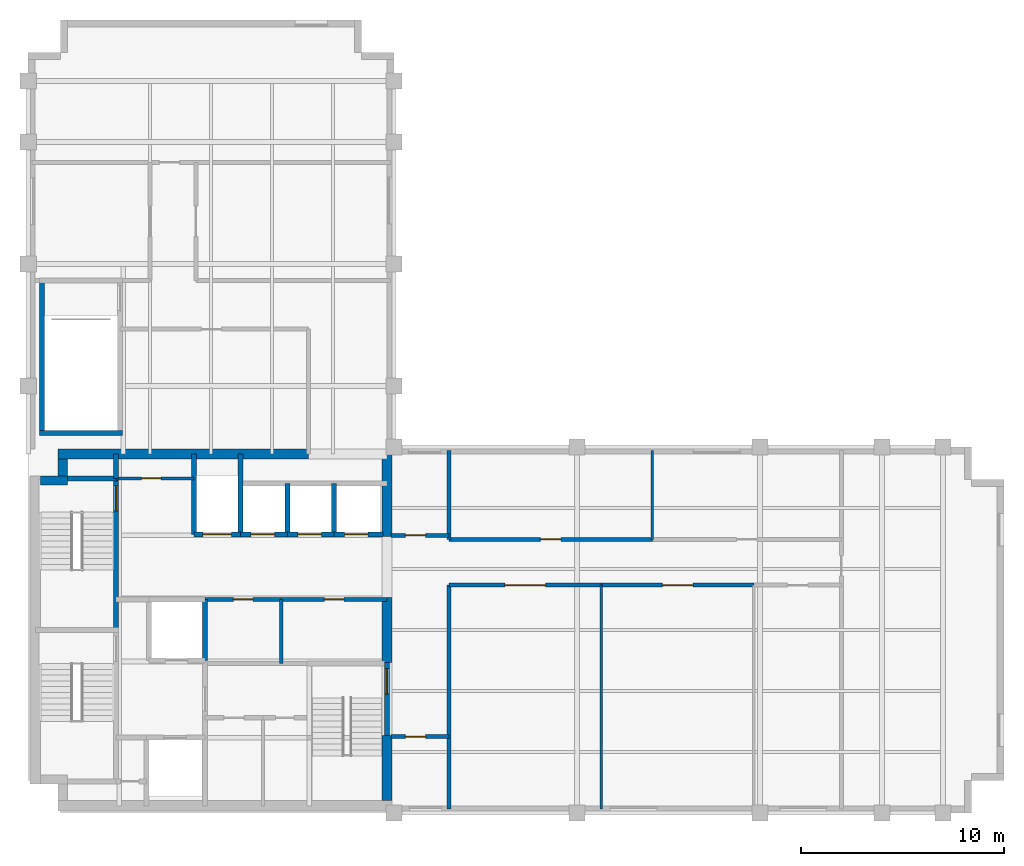
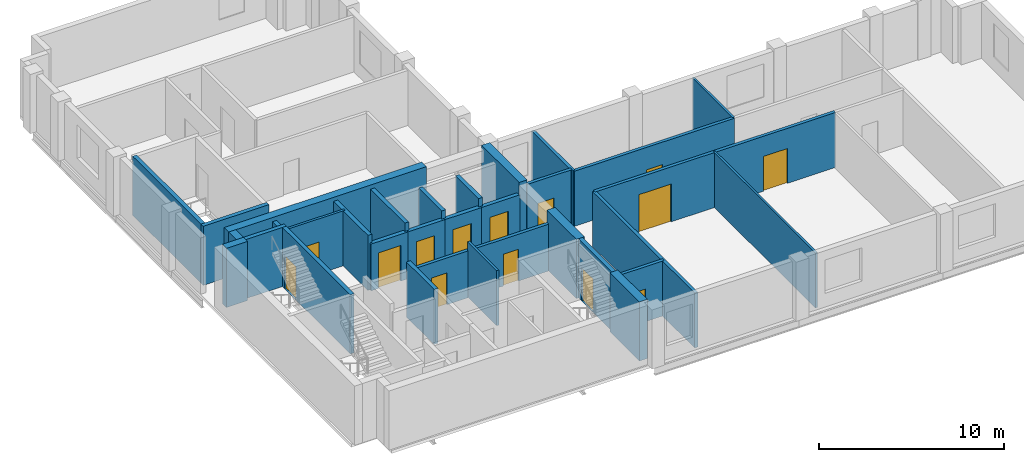
# One storey, part 3 of 6: 34 walls, 14 doors, 14 openings.
"""IFC4 building model written with IfcOpenShell, lengths in metres."""

from ifc_helpers import new_model, si_unit, direction, frame, frame_2d, origin, place, context, subcontext, project, spatial, rectangle, extrude, material, layer, layer_set, type_object, element, fill, save


model = new_model("IFC4")

# Units and contexts
model_context = context("Model", 3, precision=1e-05, world=origin(), true_north=direction((0.0, 1.0)))
body_context = subcontext(model_context, "Body", "Model", "MODEL_VIEW")
ifc_project = project(units=[si_unit("LENGTHUNIT", "METRE"), si_unit("AREAUNIT", "SQUARE_METRE"), si_unit("VOLUMEUNIT", "CUBIC_METRE"), si_unit("PLANEANGLEUNIT", "RADIAN"), si_unit("MASSUNIT", "GRAM", prefix="KILO")], contexts=[model_context])

# Site, building, storey
site_placement = place(None, origin())
site = spatial("IfcSite", under=ifc_project, at=site_placement, CompositionType="ELEMENT")
building_placement = place(site_placement, origin())
building = spatial("IfcBuilding", under=site, at=building_placement, Name="Mawjdan Bourse Tower", CompositionType="ELEMENT")
storey_placement = place(building_placement, frame((0.0, 0.0, 250.800048828125)))
storey = spatial("IfcBuildingStorey", under=building, at=storey_placement, Name="L61", CompositionType="ELEMENT", Elevation=250.800048828125)

# Wall, opening, door
ifc_material_1 = material(Name="Gypsum Fireboard Assembly")
ifc_layer_1 = layer(ifc_material_1, 0.199951171875)
ifc_layer_set_1 = layer_set([ifc_layer_1], Name="Gypsum Fireboard Assembly")
wall_type_1 = type_object("IfcWallType", Name="WL-CMP-200", PredefinedType="PARTITIONING", material=ifc_layer_set_1)
wall_1_placement = place(storey_placement, frame((14.699951171875, 13.5, 0.0), z_axis=(0.0, 0.0, 1.0), x_axis=(1.0, 0.0, 0.0)))
wall_1 = element("IfcWall", 1, at=wall_1_placement, inside=storey, type_object=wall_type_1, Name="L61 Accessible WC North Wall", PredefinedType="PARTITIONING", context=body_context, shape_type="SweptSolid", body=[
    extrude(rectangle(XDim=3.75, YDim=0.199951171875, at=frame_2d((1.875, 0.0))), origin(), (0.0, 0.0, 1.0), 3.087890625),
])
opening_1_placement = place(wall_1_placement, frame((1.39990234375, 0.0, 0.0)))
opening_1 = element("IfcOpeningElement", 2, at=opening_1_placement, cuts=wall_1, Name="Opening D-L61-15", PredefinedType="OPENING", context=body_context, shape_type="SweptSolid", body=[
    extrude(rectangle(XDim=0.949951171875, YDim=2.10009765625, at=frame_2d((0.47509765625, 1.050048828125))), frame((0.0, 0.10986328125, 0.0), z_axis=(0.0, -1.0, 0.0), x_axis=(1.0, 0.0, 0.0)), (0.0, 0.0, 1.0), 0.219970703125),
])
ifc_material_2 = material(Name="Moisture-Resistant Laminate Timber", Category="wood")
door_type_1 = type_object("IfcDoorType", Name="DR-WET-0950", OperationType="NOTDEFINED", PredefinedType="DOOR", material=ifc_material_2)
door_1_placement = place(opening_1_placement, origin())
door_1 = element("IfcDoor", 3, at=door_1_placement, inside=storey, type_object=door_type_1, Name="L61 Accessible WC Door D-L61-15", OperationType="SINGLE_SWING_RIGHT", OverallHeight=2.10009765625, OverallWidth=0.949951171875, PredefinedType="DOOR", context=body_context, shape_type="SweptSolid", body=[
    extrude(rectangle(XDim=0.949951171875, YDim=2.10009765625, at=frame_2d((0.47509765625, 1.050048828125))), frame((0.0, 0.02490234375, 0.0), z_axis=(0.0, -1.0, 0.0), x_axis=(1.0, 0.0, 0.0)), (0.0, 0.0, 1.0), 0.050048828125),
])
fill(opening_1, door_1)

wall_2_placement = place(storey_placement, frame((18.449951171875, 13.5, 0.0), z_axis=(0.0, 0.0, 1.0), x_axis=(1.0, 0.0, 0.0)))
wall_2 = element("IfcWall", 4, at=wall_2_placement, inside=storey, type_object=wall_type_1, Name="L61 Unisex Restroom Suite North Wall", PredefinedType="PARTITIONING", context=body_context, shape_type="SweptSolid", body=[
    extrude(rectangle(XDim=5.199951171875, YDim=0.199951171875, at=frame_2d((2.60009765625, 0.0))), origin(), (0.0, 0.0, 1.0), 3.087890625),
])
opening_2_placement = place(wall_2_placement, frame((2.125, 0.0, 0.0)))
opening_2 = element("IfcOpeningElement", 5, at=opening_2_placement, cuts=wall_2, Name="Opening D-L61-16", PredefinedType="OPENING", context=body_context, shape_type="SweptSolid", body=[
    extrude(rectangle(XDim=0.949951171875, YDim=2.10009765625, at=frame_2d((0.47509765625, 1.050048828125))), frame((0.0, 0.10986328125, 0.0), z_axis=(0.0, -1.0, 0.0), x_axis=(1.0, 0.0, 0.0)), (0.0, 0.0, 1.0), 0.219970703125),
])
door_2_placement = place(opening_2_placement, origin())
door_2 = element("IfcDoor", 6, at=door_2_placement, inside=storey, type_object=door_type_1, Name="L61 Unisex Restroom Suite Door D-L61-16", OperationType="SINGLE_SWING_LEFT", OverallHeight=2.10009765625, OverallWidth=0.949951171875, PredefinedType="DOOR", context=body_context, shape_type="SweptSolid", body=[
    extrude(rectangle(XDim=0.949951171875, YDim=2.10009765625, at=frame_2d((0.47509765625, 1.050048828125))), frame((0.0, 0.02490234375, 0.0), z_axis=(0.0, -1.0, 0.0), x_axis=(1.0, 0.0, 0.0)), (0.0, 0.0, 1.0), 0.050048828125),
])
fill(opening_2, door_2)

wall_3_placement = place(storey_placement, frame((23.85009765625, 6.75, 0.0), z_axis=(0.0, 0.0, 1.0), x_axis=(1.0, 0.0, 0.0)))
wall_3 = element("IfcWall", 7, at=wall_3_placement, inside=storey, type_object=wall_type_1, Name="L61 West Pocket North Wall", PredefinedType="PARTITIONING", context=body_context, shape_type="SweptSolid", body=[
    extrude(rectangle(XDim=2.849853515625, YDim=0.199951171875, at=frame_2d((1.4248046875, 0.0))), origin(), (0.0, 0.0, 1.0), 3.6298828125),
])
opening_3_placement = place(wall_3_placement, frame((0.699951171875, 0.0, 0.0)))
opening_3 = element("IfcOpeningElement", 8, at=opening_3_placement, cuts=wall_3, Name="Opening D-L61-19", PredefinedType="OPENING", context=body_context, shape_type="SweptSolid", body=[
    extrude(rectangle(XDim=1.0, YDim=2.14990234375, at=frame_2d((0.5, 1.074951171875))), frame((0.0, 0.10986328125, 0.0), z_axis=(0.0, -1.0, 0.0), x_axis=(1.0, 0.0, 0.0)), (0.0, 0.0, 1.0), 0.219970703125),
])
ifc_material_3 = material(Name="Hardwood Acoustic Leaf", Category="wood")
door_type_2 = type_object("IfcDoorType", Name="DR-OFC-1000", OperationType="NOTDEFINED", PredefinedType="DOOR", material=ifc_material_3)
door_3_placement = place(opening_3_placement, origin())
door_3 = element("IfcDoor", 9, at=door_3_placement, inside=storey, type_object=door_type_2, Name="L61 West Pocket Office Door D-L61-19", OperationType="SINGLE_SWING_RIGHT", OverallHeight=2.14990234375, OverallWidth=1.0, PredefinedType="DOOR", context=body_context, shape_type="SweptSolid", body=[
    extrude(rectangle(XDim=1.0, YDim=2.14990234375, at=frame_2d((0.5, 1.074951171875))), frame((0.0, 0.02490234375, 0.0), z_axis=(0.0, -1.0, 0.0), x_axis=(1.0, 0.0, 0.0)), (0.0, 0.0, 1.0), 0.050048828125),
])
fill(opening_3, door_3)

wall_4_placement = place(storey_placement, frame((23.85009765625, 16.64990234375, 0.0), z_axis=(0.0, 0.0, 1.0), x_axis=(1.0, 0.0, 0.0)))
wall_4 = element("IfcWall", 10, at=wall_4_placement, inside=storey, type_object=wall_type_1, Name="L61 West North Pocket Wall", PredefinedType="PARTITIONING", context=body_context, shape_type="SweptSolid", body=[
    extrude(rectangle(XDim=2.849853515625, YDim=0.199951171875, at=frame_2d((1.4248046875, 0.0))), origin(), (0.0, 0.0, 1.0), 3.6298828125),
])
opening_4_placement = place(wall_4_placement, frame((0.699951171875, 0.0, 0.0)))
opening_4 = element("IfcOpeningElement", 11, at=opening_4_placement, cuts=wall_4, Name="Opening D-L61-20", PredefinedType="OPENING", context=body_context, shape_type="SweptSolid", body=[
    extrude(rectangle(XDim=1.0, YDim=2.14990234375, at=frame_2d((0.5, 1.074951171875))), frame((0.0, 0.10986328125, 0.0), z_axis=(0.0, -1.0, 0.0), x_axis=(1.0, 0.0, 0.0)), (0.0, 0.0, 1.0), 0.219970703125),
])
door_4_placement = place(opening_4_placement, origin())
door_4 = element("IfcDoor", 12, at=door_4_placement, inside=storey, type_object=door_type_2, Name="L61 West North Pocket Door D-L61-20", OperationType="SINGLE_SWING_LEFT", OverallHeight=2.14990234375, OverallWidth=1.0, PredefinedType="DOOR", context=body_context, shape_type="SweptSolid", body=[
    extrude(rectangle(XDim=1.0, YDim=2.14990234375, at=frame_2d((0.5, 1.074951171875))), frame((0.0, 0.02490234375, 0.0), z_axis=(0.0, -1.0, 0.0), x_axis=(1.0, 0.0, 0.0)), (0.0, 0.0, 1.0), 0.050048828125),
])
fill(opening_4, door_4)

# Walls
wall_5_placement = place(storey_placement, frame((26.699951171875, 3.179931640625, 0.0), z_axis=(0.0, 0.0, 1.0), x_axis=(0.0, 1.0, 0.0)))
element("IfcWall", 13, at=wall_5_placement, inside=storey, type_object=wall_type_1, Name="L61 Vestibule South East Wall", PredefinedType="PARTITIONING", context=body_context, shape_type="SweptSolid", body=[
    extrude(rectangle(XDim=11.02001953125, YDim=0.199951171875, at=frame_2d((5.510009765625, 0.0))), origin(), (0.0, 0.0, 1.0), 3.6298828125),
])
wall_6_placement = place(storey_placement, frame((26.699951171875, 16.449951171875, 0.0), z_axis=(0.0, 0.0, 1.0), x_axis=(0.0, 1.0, 0.0)))
element("IfcWall", 14, at=wall_6_placement, inside=storey, type_object=wall_type_1, Name="L61 Vestibule North East Wall", PredefinedType="PARTITIONING", context=body_context, shape_type="SweptSolid", body=[
    extrude(rectangle(XDim=4.3701171875, YDim=0.199951171875, at=frame_2d((2.18505859375, 0.0))), origin(), (0.0, 0.0, 1.0), 3.6298828125),
])

# Wall, opening, door
wall_7_placement = place(storey_placement, frame((26.699951171875, 14.199951171875, 0.0), z_axis=(0.0, 0.0, 1.0), x_axis=(1.0, 0.0, 0.0)))
wall_7 = element("IfcWall", 15, at=wall_7_placement, inside=storey, type_object=wall_type_1, Name="L61 International Listings Hall Corridor Wall", PredefinedType="PARTITIONING", context=body_context, shape_type="SweptSolid", body=[
    extrude(rectangle(XDim=7.5, YDim=0.199951171875, at=frame_2d((3.75, 0.0))), origin(), (0.0, 0.0, 1.0), 3.6298828125),
])
opening_5_placement = place(wall_7_placement, frame((2.75, 0.0, 0.0)))
opening_5 = element("IfcOpeningElement", 16, at=opening_5_placement, cuts=wall_7, Name="Opening D-L61-21", PredefinedType="OPENING", context=body_context, shape_type="SweptSolid", body=[
    extrude(rectangle(XDim=2.0, YDim=2.5, at=frame_2d((1.0, 1.25))), frame((0.0, 0.10986328125, 0.0), z_axis=(0.0, -1.0, 0.0), x_axis=(1.0, 0.0, 0.0)), (0.0, 0.0, 1.0), 0.219970703125),
])
ifc_material_4 = material(Name="Acoustic Veneered Timber", Category="wood")
door_type_3 = type_object("IfcDoorType", Name="DR-ASM-2000", OperationType="DOUBLE_DOOR_SINGLE_SWING", PredefinedType="DOOR", material=ifc_material_4)
door_5_placement = place(opening_5_placement, origin())
door_5 = element("IfcDoor", 17, at=door_5_placement, inside=storey, type_object=door_type_3, Name="L61 International Listings Hall Door D-L61-21", OperationType="DOUBLE_DOOR_SINGLE_SWING", OverallHeight=2.5, OverallWidth=2.0, PredefinedType="DOOR", context=body_context, shape_type="SweptSolid", body=[
    extrude(rectangle(XDim=2.0, YDim=2.5, at=frame_2d((1.0, 1.25))), frame((0.0, 0.02490234375, 0.0), z_axis=(0.0, -1.0, 0.0), x_axis=(1.0, 0.0, 0.0)), (0.0, 0.0, 1.0), 0.050048828125),
])
fill(opening_5, door_5)

wall_8_placement = place(storey_placement, frame((34.199951171875, 14.199951171875, 0.0), z_axis=(0.0, 0.0, 1.0), x_axis=(1.0, 0.0, 0.0)))
wall_8 = element("IfcWall", 18, at=wall_8_placement, inside=storey, type_object=wall_type_1, Name="L61 Conference Room Corridor Wall", PredefinedType="PARTITIONING", context=body_context, shape_type="SweptSolid", body=[
    extrude(rectangle(XDim=7.5, YDim=0.199951171875, at=frame_2d((3.75, 0.0))), origin(), (0.0, 0.0, 1.0), 3.6298828125),
])
opening_6_placement = place(wall_8_placement, frame((3.0, 0.0, 0.0)))
opening_6 = element("IfcOpeningElement", 19, at=opening_6_placement, cuts=wall_8, Name="Opening D-L61-22", PredefinedType="OPENING", context=body_context, shape_type="SweptSolid", body=[
    extrude(rectangle(XDim=1.5, YDim=2.300048828125, at=frame_2d((0.75, 1.14990234375))), frame((0.0, 0.10986328125, 0.0), z_axis=(0.0, -1.0, 0.0), x_axis=(1.0, 0.0, 0.0)), (0.0, 0.0, 1.0), 0.219970703125),
])
ifc_material_5 = material(Name="Acoustic Glazed Timber", Category="wood")
door_type_4 = type_object("IfcDoorType", Name="DR-CNF-1500", OperationType="DOUBLE_DOOR_SINGLE_SWING", PredefinedType="DOOR", material=ifc_material_5)
door_6_placement = place(opening_6_placement, origin())
door_6 = element("IfcDoor", 20, at=door_6_placement, inside=storey, type_object=door_type_4, Name="L61 Conference Room Door D-L61-22", OperationType="DOUBLE_DOOR_SINGLE_SWING", OverallHeight=2.300048828125, OverallWidth=1.5, PredefinedType="DOOR", context=body_context, shape_type="SweptSolid", body=[
    extrude(rectangle(XDim=1.5, YDim=2.300048828125, at=frame_2d((0.75, 1.14990234375))), frame((0.0, 0.02490234375, 0.0), z_axis=(0.0, -1.0, 0.0), x_axis=(1.0, 0.0, 0.0)), (0.0, 0.0, 1.0), 0.050048828125),
])
fill(opening_6, door_6)

wall_9_placement = place(storey_placement, frame((26.699951171875, 16.449951171875, 0.0), z_axis=(0.0, 0.0, 1.0), x_axis=(1.0, 0.0, 0.0)))
wall_9 = element("IfcWall", 21, at=wall_9_placement, inside=storey, type_object=wall_type_1, Name="L61 Executive Office Corridor Wall", PredefinedType="PARTITIONING", context=body_context, shape_type="SweptSolid", body=[
    extrude(rectangle(XDim=10.0, YDim=0.199951171875, at=frame_2d((5.0, 0.0))), origin(), (0.0, 0.0, 1.0), 3.6298828125),
])
opening_7_placement = place(wall_9_placement, frame((4.5, 0.0, 0.0)))
opening_7 = element("IfcOpeningElement", 22, at=opening_7_placement, cuts=wall_9, Name="Opening D-L61-24", PredefinedType="OPENING", context=body_context, shape_type="SweptSolid", body=[
    extrude(rectangle(XDim=1.0, YDim=2.14990234375, at=frame_2d((0.5, 1.074951171875))), frame((0.0, 0.10986328125, 0.0), z_axis=(0.0, -1.0, 0.0), x_axis=(1.0, 0.0, 0.0)), (0.0, 0.0, 1.0), 0.219970703125),
])
door_7_placement = place(opening_7_placement, origin())
door_7 = element("IfcDoor", 23, at=door_7_placement, inside=storey, type_object=door_type_2, Name="L61 Executive Office Door D-L61-24", OperationType="SINGLE_SWING_LEFT", OverallHeight=2.14990234375, OverallWidth=1.0, PredefinedType="DOOR", context=body_context, shape_type="SweptSolid", body=[
    extrude(rectangle(XDim=1.0, YDim=2.14990234375, at=frame_2d((0.5, 1.074951171875))), frame((0.0, 0.02490234375, 0.0), z_axis=(0.0, -1.0, 0.0), x_axis=(1.0, 0.0, 0.0)), (0.0, 0.0, 1.0), 0.050048828125),
])
fill(opening_7, door_7)

# Walls
ifc_material_6 = material(Name="Concrete C60/75", Category="concrete")
ifc_layer_2 = layer(ifc_material_6, 0.449951171875)
ifc_layer_set_2 = layer_set([ifc_layer_2], Name="Concrete C60/75")
wall_type_2 = type_object("IfcWallType", Name="WL-CORE-450", PredefinedType="SHEAR", material=ifc_layer_set_2)
wall_10_placement = place(storey_placement, frame((6.60009765625, 19.35009765625, 0.0), z_axis=(0.0, 0.0, 1.0), x_axis=(1.0, 0.0, 0.0)))
element("IfcWall", 24, at=wall_10_placement, inside=storey, type_object=wall_type_2, Name="L61 Rear Core Shear Wall NW-X", PredefinedType="SHEAR", context=body_context, shape_type="SweptSolid", body=[
    extrude(rectangle(XDim=1.324951171875, YDim=0.449951171875, at=frame_2d((0.66259765625, 0.0))), origin(), (0.0, 0.0, 1.0), 3.89990234375),
])
wall_11_placement = place(storey_placement, frame((7.699951171875, 19.574951171875, 0.0), z_axis=(0.0, 0.0, 1.0), x_axis=(0.0, 1.0, 0.0)))
element("IfcWall", 25, at=wall_11_placement, inside=storey, type_object=wall_type_2, Name="L61 Rear Core Shear Wall NW-Y", PredefinedType="SHEAR", context=body_context, shape_type="SweptSolid", body=[
    extrude(rectangle(XDim=0.824951171875, YDim=0.449951171875, at=frame_2d((0.41259765625, 0.0))), origin(), (0.0, 0.0, 1.0), 3.89990234375),
])
ifc_layer_3 = layer(ifc_material_6, 0.5)
ifc_layer_set_3 = layer_set([ifc_layer_3], Name="Concrete C60/75")
wall_type_3 = type_object("IfcWallType", Name="WL-CORE-500", PredefinedType="SHEAR", material=ifc_layer_set_3)
wall_12_placement = place(storey_placement, frame((7.47509765625, 20.64990234375, 0.0), z_axis=(0.0, 0.0, 1.0), x_axis=(1.0, 0.0, 0.0)))
element("IfcWall", 26, at=wall_12_placement, inside=storey, type_object=wall_type_3, Name="L61 Rear Core Shear Wall N", PredefinedType="SHEAR", context=body_context, shape_type="SweptSolid", body=[
    extrude(rectangle(XDim=12.324951171875, YDim=0.5, at=frame_2d((6.16259765625, 0.0))), origin(), (0.0, 0.0, 1.0), 3.89990234375),
])
wall_13_placement = place(storey_placement, frame((23.64990234375, 3.60009765625, 0.0), z_axis=(0.0, 0.0, 1.0), x_axis=(0.0, 1.0, 0.0)))
element("IfcWall", 27, at=wall_13_placement, inside=storey, type_object=wall_type_3, Name="L61 Rear Core Shear Wall E1", PredefinedType="SHEAR", context=body_context, shape_type="SweptSolid", body=[
    extrude(rectangle(XDim=3.199951171875, YDim=0.5, at=frame_2d((1.60009765625, 0.0))), origin(), (0.0, 0.0, 1.0), 3.89990234375),
])
wall_14_placement = place(storey_placement, frame((23.64990234375, 10.39990234375, 0.0), z_axis=(0.0, 0.0, 1.0), x_axis=(0.0, 1.0, 0.0)))
element("IfcWall", 28, at=wall_14_placement, inside=storey, type_object=wall_type_3, Name="L61 Rear Core Shear Wall E2", PredefinedType="SHEAR", context=body_context, shape_type="SweptSolid", body=[
    extrude(rectangle(XDim=3.2001953125, YDim=0.5, at=frame_2d((1.60009765625, 0.0))), origin(), (0.0, 0.0, 1.0), 3.89990234375),
])
wall_15_placement = place(storey_placement, frame((23.64990234375, 16.60009765625, 0.0), z_axis=(0.0, 0.0, 1.0), x_axis=(0.0, 1.0, 0.0)))
element("IfcWall", 29, at=wall_15_placement, inside=storey, type_object=wall_type_3, Name="L61 Rear Core Shear Wall E3", PredefinedType="SHEAR", context=body_context, shape_type="SweptSolid", body=[
    extrude(rectangle(XDim=4.0498046875, YDim=0.5, at=frame_2d((2.02490234375, 0.0))), origin(), (0.0, 0.0, 1.0), 3.89990234375),
])
ifc_material_7 = material(Name="Gypsum Partition")
ifc_layer_4 = layer(ifc_material_7, 0.125)
ifc_layer_set_4 = layer_set([ifc_layer_4], Name="Gypsum Partition")
wall_type_4 = type_object("IfcWallType", Name="WL-PRT-125", PredefinedType="PARTITIONING", material=ifc_layer_set_4)
wall_16_placement = place(storey_placement, frame((34.199951171875, 3.179931640625, 0.0), z_axis=(0.0, 0.0, 1.0), x_axis=(0.0, 1.0, 0.0)))
element("IfcWall", 30, at=wall_16_placement, inside=storey, type_object=wall_type_4, Name="L61 Conference Room Partition", PredefinedType="PARTITIONING", context=body_context, shape_type="SweptSolid", body=[
    extrude(rectangle(XDim=11.02001953125, YDim=0.125, at=frame_2d((5.510009765625, 0.0))), origin(), (0.0, 0.0, 1.0), 3.6298828125),
])
wall_17_placement = place(storey_placement, frame((36.699951171875, 16.449951171875, 0.0), z_axis=(0.0, 0.0, 1.0), x_axis=(0.0, 1.0, 0.0)))
element("IfcWall", 31, at=wall_17_placement, inside=storey, type_object=wall_type_4, Name="L61 Cross-Border Clearing Suite Partition", PredefinedType="PARTITIONING", context=body_context, shape_type="SweptSolid", body=[
    extrude(rectangle(XDim=4.3701171875, YDim=0.125, at=frame_2d((2.18505859375, 0.0))), origin(), (0.0, 0.0, 1.0), 3.6298828125),
])
ifc_material_8 = material(Name="Gypsum Acoustic Partition")
ifc_layer_5 = layer(ifc_material_8, 0.14990234375)
ifc_layer_set_5 = layer_set([ifc_layer_5], Name="Gypsum Acoustic Partition")
wall_type_5 = type_object("IfcWallType", Name="WL-PRT-150", PredefinedType="PARTITIONING", material=ifc_layer_set_5)
wall_18_placement = place(storey_placement, frame((18.449951171875, 10.340087890625, 0.0), z_axis=(0.0, 0.0, 1.0), x_axis=(0.0, 1.0, 0.0)))
element("IfcWall", 32, at=wall_18_placement, inside=storey, type_object=wall_type_5, Name="L61 Unisex Restroom Suite Split Wall", PredefinedType="PARTITIONING", context=body_context, shape_type="SweptSolid", body=[
    extrude(rectangle(XDim=3.159912109375, YDim=0.14990234375, at=frame_2d((1.580078125, 0.0))), origin(), (0.0, 0.0, 1.0), 3.6298828125),
])

# Wall, opening, door
wall_19_placement = place(storey_placement, frame((10.330078125, 19.449951171875, 0.0), z_axis=(0.0, 0.0, 1.0), x_axis=(1.0, 0.0, 0.0)))
wall_19 = element("IfcWall", 33, at=wall_19_placement, inside=storey, type_object=wall_type_5, Name="L61 Housekeeping South Wall", PredefinedType="PARTITIONING", context=body_context, shape_type="SweptSolid", body=[
    extrude(rectangle(XDim=3.81982421875, YDim=0.14990234375, at=frame_2d((1.909912109375, 0.0))), origin(), (0.0, 0.0, 1.0), 3.6298828125),
])
opening_8_placement = place(wall_19_placement, frame((1.25, 0.0, 0.0)))
opening_8 = element("IfcOpeningElement", 34, at=opening_8_placement, cuts=wall_19, Name="Opening D-L61-17", PredefinedType="OPENING", context=body_context, shape_type="SweptSolid", body=[
    extrude(rectangle(XDim=0.949951171875, YDim=2.10009765625, at=frame_2d((0.47509765625, 1.050048828125))), frame((0.0, 0.0849609375, 0.0), z_axis=(0.0, -1.0, 0.0), x_axis=(1.0, 0.0, 0.0)), (0.0, 0.0, 1.0), 0.169921875),
])
door_8_placement = place(opening_8_placement, origin())
door_8 = element("IfcDoor", 35, at=door_8_placement, inside=storey, type_object=door_type_1, Name="L61 Housekeeping Closet Door D-L61-17", OperationType="SINGLE_SWING_RIGHT", OverallHeight=2.10009765625, OverallWidth=0.949951171875, PredefinedType="DOOR", context=body_context, shape_type="SweptSolid", body=[
    extrude(rectangle(XDim=0.949951171875, YDim=2.10009765625, at=frame_2d((0.47509765625, 1.050048828125))), frame((0.0, 0.02490234375, 0.0), z_axis=(0.0, -1.0, 0.0), x_axis=(1.0, 0.0, 0.0)), (0.0, 0.0, 1.0), 0.050048828125),
])
fill(opening_8, door_8)

# Walls
ifc_material_9 = material(Name="Concrete C50/60", Category="concrete")
ifc_layer_6 = layer(ifc_material_9, 0.25)
ifc_layer_set_6 = layer_set([ifc_layer_6], Name="Concrete C50/60")
wall_type_6 = type_object("IfcWallType", Name="WL-SHFT-250", PredefinedType="PARTITIONING", material=ifc_layer_set_6)
wall_20_placement = place(storey_placement, frame((10.330078125, 19.449951171875, 0.0), z_axis=(0.0, 0.0, 1.0), x_axis=(0.0, 1.0, 0.0)))
element("IfcWall", 36, at=wall_20_placement, inside=storey, type_object=wall_type_6, Name="L61 NW Riser East Wall", PredefinedType="PARTITIONING", context=body_context, shape_type="SweptSolid", body=[
    extrude(rectangle(XDim=1.199951171875, YDim=0.25, at=frame_2d((0.60009765625, 0.0))), origin(), (0.0, 0.0, 1.0), 3.6298828125),
])
wall_21_placement = place(storey_placement, frame((14.699951171875, 10.5, 0.0), z_axis=(0.0, 0.0, 1.0), x_axis=(0.0, 1.0, 0.0)))
element("IfcWall", 37, at=wall_21_placement, inside=storey, type_object=wall_type_6, Name="L61 FFL-02 East Shaft Wall", PredefinedType="PARTITIONING", context=body_context, shape_type="SweptSolid", body=[
    extrude(rectangle(XDim=3.0, YDim=0.25, at=frame_2d((1.5, 0.0))), origin(), (0.0, 0.0, 1.0), 3.6298828125),
])

# Wall, opening, door
wall_22_placement = place(storey_placement, frame((14.14990234375, 16.699951171875, 0.0), z_axis=(0.0, 0.0, 1.0), x_axis=(1.0, 0.0, 0.0)))
wall_22 = element("IfcWall", 38, at=wall_22_placement, inside=storey, type_object=wall_type_6, Name="L61 SVL-01 Front Shaft Wall", PredefinedType="PARTITIONING", context=body_context, shape_type="SweptSolid", body=[
    extrude(rectangle(XDim=2.300048828125, YDim=0.25, at=frame_2d((1.14990234375, 0.0))), origin(), (0.0, 0.0, 1.0), 3.087890625),
])
opening_9_placement = place(wall_22_placement, frame((0.449951171875, 0.0, 0.0)))
opening_9 = element("IfcOpeningElement", 39, at=opening_9_placement, cuts=wall_22, Name="Opening LD-L61-09", PredefinedType="OPENING", context=body_context, shape_type="SweptSolid", body=[
    extrude(rectangle(XDim=1.39990234375, YDim=2.35009765625, at=frame_2d((0.699951171875, 1.175048828125))), frame((0.0, 0.135009765625, 0.0), z_axis=(0.0, -1.0, 0.0), x_axis=(1.0, 0.0, 0.0)), (0.0, 0.0, 1.0), 0.27001953125),
])
ifc_material_10 = material(Name="Heavy-Duty Stainless Steel", Category="steel")
door_type_5 = type_object("IfcDoorType", Name="LD-SRV-1400", OperationType="DOUBLE_DOOR_SLIDING", PredefinedType="DOOR", material=ifc_material_10)
door_9_placement = place(opening_9_placement, origin())
door_9 = element("IfcDoor", 40, at=door_9_placement, inside=storey, type_object=door_type_5, Name="L61 Service Lift SVL-01 Landing Door LD-L61-09", OperationType="DOUBLE_DOOR_SLIDING", OverallHeight=2.35009765625, OverallWidth=1.39990234375, PredefinedType="DOOR", context=body_context, shape_type="SweptSolid", body=[
    extrude(rectangle(XDim=1.39990234375, YDim=2.35009765625, at=frame_2d((0.699951171875, 1.175048828125))), frame((0.0, 0.02490234375, 0.0), z_axis=(0.0, -1.0, 0.0), x_axis=(1.0, 0.0, 0.0)), (0.0, 0.0, 1.0), 0.050048828125),
])
fill(opening_9, door_9)

# Walls
for number, where, z_axis, x_axis, name in (
    (41, (14.14990234375, 16.699951171875, 0.0), (0.0, 0.0, 1.0), (0.0, 1.0, 0.0), "L61 SVL-01 West Shaft Wall"),
    (42, (16.449951171875, 16.699951171875, 0.0), (0.0, 0.0, 1.0), (0.0, 1.0, 0.0), "L61 SVL-01 East Shaft Wall"),
):
    element("IfcWall", number, at=place(storey_placement, frame(where, z_axis=z_axis, x_axis=x_axis)), inside=storey, type_object=wall_type_6, Name=name, PredefinedType="PARTITIONING", context=body_context, shape_type="SweptSolid", body=[
        extrude(rectangle(XDim=3.949951171875, YDim=0.25, at=frame_2d((1.97509765625, 0.0))), origin(), (0.0, 0.0, 1.0), 3.6298828125),
    ])

# Wall, opening, door
wall_23_placement = place(storey_placement, frame((16.449951171875, 16.699951171875, 0.0), z_axis=(0.0, 0.0, 1.0), x_axis=(1.0, 0.0, 0.0)))
wall_23 = element("IfcWall", 43, at=wall_23_placement, inside=storey, type_object=wall_type_6, Name="L61 PH-01 Front Wall", PredefinedType="PARTITIONING", context=body_context, shape_type="SweptSolid", body=[
    extrude(rectangle(XDim=2.300048828125, YDim=0.25, at=frame_2d((1.14990234375, 0.0))), origin(), (0.0, 0.0, 1.0), 3.087890625),
])
opening_10_placement = place(wall_23_placement, frame((0.52001953125, 0.0, 0.0)))
opening_10 = element("IfcOpeningElement", 44, at=opening_10_placement, cuts=wall_23, Name="Opening LD-L61-10", PredefinedType="OPENING", context=body_context, shape_type="SweptSolid", body=[
    extrude(rectangle(XDim=1.14990234375, YDim=2.25, at=frame_2d((0.574951171875, 1.125))), frame((0.0, 0.135009765625, 0.0), z_axis=(0.0, -1.0, 0.0), x_axis=(1.0, 0.0, 0.0)), (0.0, 0.0, 1.0), 0.27001953125),
])
ifc_material_11 = material(Name="Brushed Stainless Steel", Category="steel")
door_type_6 = type_object("IfcDoorType", Name="LD-PAS-1150", OperationType="DOUBLE_DOOR_SLIDING", PredefinedType="DOOR", material=ifc_material_11)
door_10_placement = place(opening_10_placement, origin())
door_10 = element("IfcDoor", 45, at=door_10_placement, inside=storey, type_object=door_type_6, Name="L61 Lift PH-01 Landing Door LD-L61-10", OperationType="DOUBLE_DOOR_SLIDING", OverallHeight=2.25, OverallWidth=1.14990234375, PredefinedType="DOOR", context=body_context, shape_type="SweptSolid", body=[
    extrude(rectangle(XDim=1.14990234375, YDim=2.25, at=frame_2d((0.574951171875, 1.125))), frame((0.0, 0.02490234375, 0.0), z_axis=(0.0, -1.0, 0.0), x_axis=(1.0, 0.0, 0.0)), (0.0, 0.0, 1.0), 0.050048828125),
])
fill(opening_10, door_10)

# Wall
wall_24_placement = place(storey_placement, frame((18.75, 16.699951171875, 0.0), z_axis=(0.0, 0.0, 1.0), x_axis=(0.0, 1.0, 0.0)))
element("IfcWall", 46, at=wall_24_placement, inside=storey, type_object=wall_type_6, Name="L61 PH-01 Divider Wall", PredefinedType="PARTITIONING", context=body_context, shape_type="SweptSolid", body=[
    extrude(rectangle(XDim=2.5, YDim=0.25, at=frame_2d((1.25, 0.0))), origin(), (0.0, 0.0, 1.0), 3.6298828125),
])

# Wall, opening, door
wall_25_placement = place(storey_placement, frame((18.75, 16.699951171875, 0.0), z_axis=(0.0, 0.0, 1.0), x_axis=(1.0, 0.0, 0.0)))
wall_25 = element("IfcWall", 47, at=wall_25_placement, inside=storey, type_object=wall_type_6, Name="L61 PH-02 Front Wall", PredefinedType="PARTITIONING", context=body_context, shape_type="SweptSolid", body=[
    extrude(rectangle(XDim=2.300048828125, YDim=0.25, at=frame_2d((1.14990234375, 0.0))), origin(), (0.0, 0.0, 1.0), 3.087890625),
])
opening_11_placement = place(wall_25_placement, frame((0.52001953125, 0.0, 0.0)))
opening_11 = element("IfcOpeningElement", 48, at=opening_11_placement, cuts=wall_25, Name="Opening LD-L61-11", PredefinedType="OPENING", context=body_context, shape_type="SweptSolid", body=[
    extrude(rectangle(XDim=1.14990234375, YDim=2.25, at=frame_2d((0.574951171875, 1.125))), frame((0.0, 0.135009765625, 0.0), z_axis=(0.0, -1.0, 0.0), x_axis=(1.0, 0.0, 0.0)), (0.0, 0.0, 1.0), 0.27001953125),
])
door_11_placement = place(opening_11_placement, origin())
door_11 = element("IfcDoor", 49, at=door_11_placement, inside=storey, type_object=door_type_6, Name="L61 Lift PH-02 Landing Door LD-L61-11", OperationType="DOUBLE_DOOR_SLIDING", OverallHeight=2.25, OverallWidth=1.14990234375, PredefinedType="DOOR", context=body_context, shape_type="SweptSolid", body=[
    extrude(rectangle(XDim=1.14990234375, YDim=2.25, at=frame_2d((0.574951171875, 1.125))), frame((0.0, 0.02490234375, 0.0), z_axis=(0.0, -1.0, 0.0), x_axis=(1.0, 0.0, 0.0)), (0.0, 0.0, 1.0), 0.050048828125),
])
fill(opening_11, door_11)

# Wall
wall_26_placement = place(storey_placement, frame((21.050048828125, 16.699951171875, 0.0), z_axis=(0.0, 0.0, 1.0), x_axis=(0.0, 1.0, 0.0)))
element("IfcWall", 50, at=wall_26_placement, inside=storey, type_object=wall_type_6, Name="L61 PH-02 Divider Wall", PredefinedType="PARTITIONING", context=body_context, shape_type="SweptSolid", body=[
    extrude(rectangle(XDim=2.5, YDim=0.25, at=frame_2d((1.25, 0.0))), origin(), (0.0, 0.0, 1.0), 3.6298828125),
])

# Wall, opening, door
wall_27_placement = place(storey_placement, frame((21.050048828125, 16.699951171875, 0.0), z_axis=(0.0, 0.0, 1.0), x_axis=(1.0, 0.0, 0.0)))
wall_27 = element("IfcWall", 51, at=wall_27_placement, inside=storey, type_object=wall_type_6, Name="L61 PH-03 Front Wall", PredefinedType="PARTITIONING", context=body_context, shape_type="SweptSolid", body=[
    extrude(rectangle(XDim=2.39990234375, YDim=0.25, at=frame_2d((1.199951171875, 0.0))), origin(), (0.0, 0.0, 1.0), 3.087890625),
])
opening_12_placement = place(wall_27_placement, frame((0.52001953125, 0.0, 0.0)))
opening_12 = element("IfcOpeningElement", 52, at=opening_12_placement, cuts=wall_27, Name="Opening LD-L61-12", PredefinedType="OPENING", context=body_context, shape_type="SweptSolid", body=[
    extrude(rectangle(XDim=1.14990234375, YDim=2.25, at=frame_2d((0.574951171875, 1.125))), frame((0.0, 0.135009765625, 0.0), z_axis=(0.0, -1.0, 0.0), x_axis=(1.0, 0.0, 0.0)), (0.0, 0.0, 1.0), 0.27001953125),
])
door_12_placement = place(opening_12_placement, origin())
door_12 = element("IfcDoor", 53, at=door_12_placement, inside=storey, type_object=door_type_6, Name="L61 Lift PH-03 Landing Door LD-L61-12", OperationType="DOUBLE_DOOR_SLIDING", OverallHeight=2.25, OverallWidth=1.14990234375, PredefinedType="DOOR", context=body_context, shape_type="SweptSolid", body=[
    extrude(rectangle(XDim=1.14990234375, YDim=2.25, at=frame_2d((0.574951171875, 1.125))), frame((0.0, 0.02490234375, 0.0), z_axis=(0.0, -1.0, 0.0), x_axis=(1.0, 0.0, 0.0)), (0.0, 0.0, 1.0), 0.050048828125),
])
fill(opening_12, door_12)

# Wall
ifc_layer_7 = layer(ifc_material_9, 0.25)
ifc_layer_set_7 = layer_set([ifc_layer_7], Name="Concrete C50/60")
wall_type_7 = type_object("IfcWallType", Name="WL-STRW-250", PredefinedType="SHEAR", material=ifc_layer_set_7)
wall_28_placement = place(storey_placement, frame((7.699951171875, 19.449951171875, 0.0), z_axis=(0.0, 0.0, 1.0), x_axis=(1.0, 0.0, 0.0)))
element("IfcWall", 54, at=wall_28_placement, inside=storey, type_object=wall_type_7, Name="L61 Stairwell ST2 North Shaft Wall", PredefinedType="SHEAR", context=body_context, shape_type="SweptSolid", body=[
    extrude(rectangle(XDim=2.755126953125, YDim=0.25, at=frame_2d((1.37744140625, 0.0))), origin(), (0.0, 0.0, 1.0), 3.89990234375),
])

# Wall, opening, door
wall_29_placement = place(storey_placement, frame((10.330078125, 12.0, 0.0), z_axis=(0.0, 0.0, 1.0), x_axis=(0.0, 1.0, 0.0)))
wall_29 = element("IfcWall", 55, at=wall_29_placement, inside=storey, type_object=wall_type_7, Name="L61 Stairwell ST2 East Enclosure Wall", PredefinedType="SHEAR", context=body_context, shape_type="SweptSolid", body=[
    extrude(rectangle(XDim=7.449951171875, YDim=0.25, at=frame_2d((3.72509765625, 0.0))), origin(), (0.0, 0.0, 1.0), 3.89990234375),
])
opening_13_placement = place(wall_29_placement, frame((5.85009765625, 0.0, 0.0)))
opening_13 = element("IfcOpeningElement", 56, at=opening_13_placement, cuts=wall_29, Name="Opening SD-L61-02", PredefinedType="OPENING", context=body_context, shape_type="SweptSolid", body=[
    extrude(rectangle(XDim=1.25, YDim=2.199951171875, at=frame_2d((0.625, 1.10009765625))), frame((0.0, 0.135009765625, 0.0), z_axis=(0.0, -1.0, 0.0), x_axis=(1.0, 0.0, 0.0)), (0.0, 0.0, 1.0), 0.27001953125),
])
ifc_material_12 = material(Name="Fire-Rated Steel Leaf", Category="steel")
door_type_7 = type_object("IfcDoorType", Name="FD-ST-1250", OperationType="NOTDEFINED", PredefinedType="DOOR", material=ifc_material_12)
door_13_placement = place(opening_13_placement, origin())
door_13 = element("IfcDoor", 57, at=door_13_placement, inside=storey, type_object=door_type_7, Name="L61 Exit Stair ST2 Fire Door SD-L61-02", OperationType="SINGLE_SWING_LEFT", OverallHeight=2.199951171875, OverallWidth=1.25, PredefinedType="DOOR", context=body_context, shape_type="SweptSolid", body=[
    extrude(rectangle(XDim=1.25, YDim=2.199951171875, at=frame_2d((0.625, 1.10009765625))), frame((0.0, 0.02490234375, 0.0), z_axis=(0.0, -1.0, 0.0), x_axis=(1.0, 0.0, 0.0)), (0.0, 0.0, 1.0), 0.050048828125),
])
fill(opening_13, door_13)

# Walls
wall_30_placement = place(storey_placement, frame((6.554931640625, 21.679931640625, 0.0), z_axis=(0.0, 0.0, 1.0), x_axis=(1.0, 0.0, 0.0)))
element("IfcWall", 58, at=wall_30_placement, inside=storey, type_object=wall_type_7, Name="L61 ST3 South Shaft Wall", PredefinedType="SHEAR", context=body_context, shape_type="SweptSolid", body=[
    extrude(rectangle(XDim=4.090087890625, YDim=0.25, at=frame_2d((2.044921875, 0.0))), origin(), (0.0, 0.0, 1.0), 3.89990234375),
])
wall_31_placement = place(storey_placement, frame((6.679931640625, 21.679931640625, 0.0), z_axis=(0.0, 0.0, 1.0), x_axis=(0.0, 1.0, 0.0)))
element("IfcWall", 59, at=wall_31_placement, inside=storey, type_object=wall_type_7, Name="L61 ST3 West Shaft Wall", PredefinedType="SHEAR", context=body_context, shape_type="SweptSolid", body=[
    extrude(rectangle(XDim=7.5, YDim=0.25, at=frame_2d((3.75, 0.0))), origin(), (0.0, 0.0, 1.0), 3.89990234375),
])

# Wall, opening, door
wall_32_placement = place(storey_placement, frame((23.64990234375, 6.800048828125, 0.0), z_axis=(0.0, 0.0, 1.0), x_axis=(0.0, 1.0, 0.0)))
wall_32 = element("IfcWall", 60, at=wall_32_placement, inside=storey, type_object=wall_type_7, Name="L61 ST7 East Shaft Wall", PredefinedType="SHEAR", context=body_context, shape_type="SweptSolid", body=[
    extrude(rectangle(XDim=3.599853515625, YDim=0.25, at=frame_2d((1.7998046875, 0.0))), origin(), (0.0, 0.0, 1.0), 3.89990234375),
])
opening_14_placement = place(wall_32_placement, frame((2.0400390625, 0.0, 0.0)))
opening_14 = element("IfcOpeningElement", 61, at=opening_14_placement, cuts=wall_32, Name="Opening SD-L61-31", PredefinedType="OPENING", context=body_context, shape_type="SweptSolid", body=[
    extrude(rectangle(XDim=1.25, YDim=2.199951171875, at=frame_2d((0.625, 1.10009765625))), frame((0.0, 0.135009765625, 0.0), z_axis=(0.0, -1.0, 0.0), x_axis=(1.0, 0.0, 0.0)), (0.0, 0.0, 1.0), 0.27001953125),
])
door_14_placement = place(opening_14_placement, origin())
door_14 = element("IfcDoor", 62, at=door_14_placement, inside=storey, type_object=door_type_7, Name="L61 Stair ST7 Fire Door SD-L61-31", OperationType="SINGLE_SWING_RIGHT", OverallHeight=2.199951171875, OverallWidth=1.25, PredefinedType="DOOR", context=body_context, shape_type="SweptSolid", body=[
    extrude(rectangle(XDim=1.25, YDim=2.199951171875, at=frame_2d((0.625, 1.10009765625))), frame((0.0, 0.02490234375, 0.0), z_axis=(0.0, -1.0, 0.0), x_axis=(1.0, 0.0, 0.0)), (0.0, 0.0, 1.0), 0.050048828125),
])
fill(opening_14, door_14)

save(model, "model.ifc")
